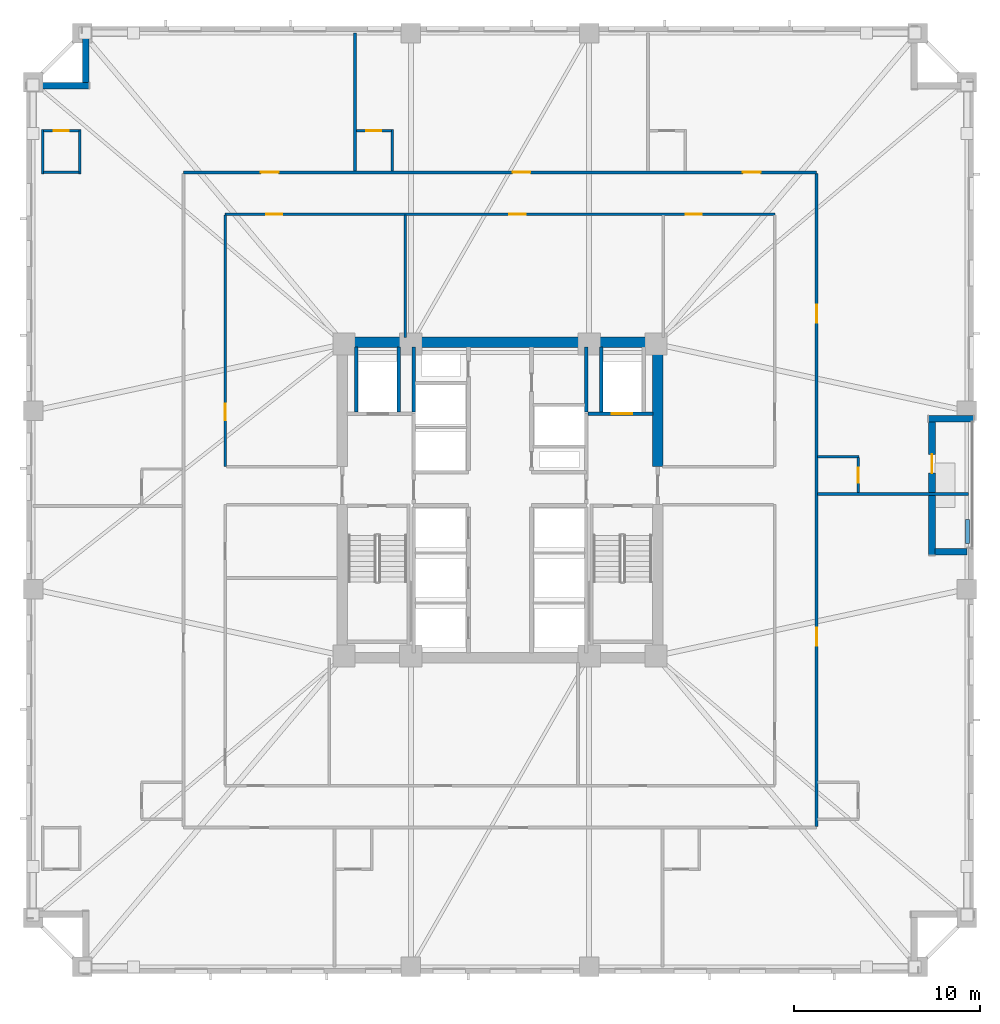
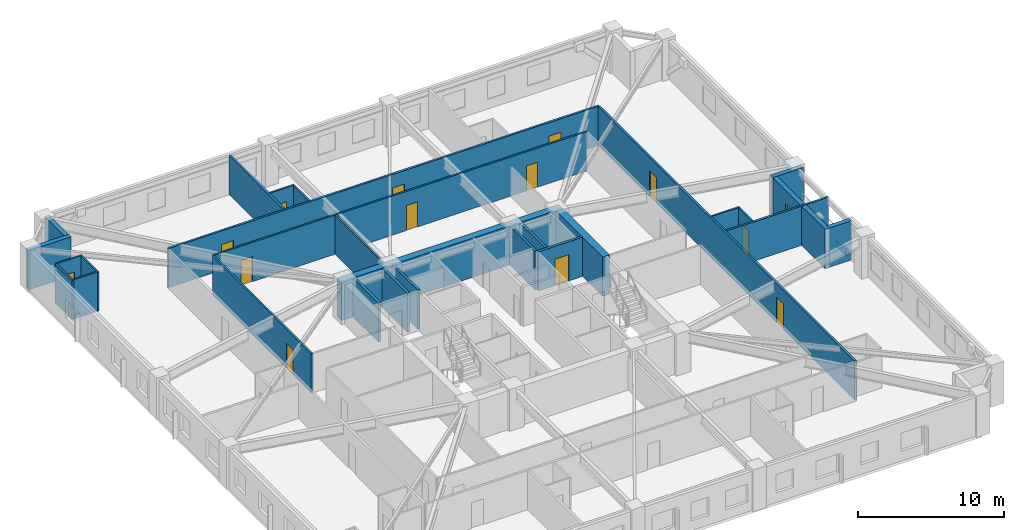
# One storey, part 5 of 11: 29 walls, 14 doors, 14 openings.
"""IFC4 building model written with IfcOpenShell, lengths in metres."""

from ifc_helpers import new_model, si_unit, direction, frame, frame_2d, origin, place, context, subcontext, project, spatial, rectangle, extrude, material, layer, layer_set, type_object, element, fill, save


model = new_model("IFC4")

# Units and contexts
model_context = context("Model", 3, precision=1e-05, world=origin(), true_north=direction((0.0, 1.0)))
body_context = subcontext(model_context, "Body", "Model", "MODEL_VIEW")
ifc_project = project(units=[si_unit("LENGTHUNIT", "METRE"), si_unit("AREAUNIT", "SQUARE_METRE"), si_unit("VOLUMEUNIT", "CUBIC_METRE"), si_unit("PLANEANGLEUNIT", "RADIAN"), si_unit("MASSUNIT", "GRAM", prefix="KILO")], contexts=[model_context])

# Site, building, storey
site_placement = place(None, origin())
site = spatial("IfcSite", under=ifc_project, at=site_placement, CompositionType="ELEMENT")
building_placement = place(site_placement, origin())
building = spatial("IfcBuilding", under=site, at=building_placement, Name="Cairnveth Concourse Tower", CompositionType="ELEMENT")
storey_placement = place(building_placement, frame((0.0, 0.0, 72.5)))
storey = spatial("IfcBuildingStorey", under=building, at=storey_placement, Name="L19", CompositionType="ELEMENT", Elevation=72.5)

# Wall, openings, doors
ifc_material_1 = material(Name="Gypsum Plasterboard Partition", Category="gypsum")
ifc_layer_1 = layer(ifc_material_1, 0.159912109375)
ifc_layer_set_1 = layer_set([ifc_layer_1], Name="Gypsum Plasterboard Partition")
wall_type_1 = type_object("IfcWallType", Name="ACOUSTIC PARTY WALL 180", PredefinedType="PARTITIONING", material=ifc_layer_set_1)
wall_1_placement = place(storey_placement, frame((34.949951171875, 56.64990234375, 0.0), z_axis=(0.0, 0.0, 1.0), x_axis=(1.0, 0.0, 0.0)))
wall_1 = element("IfcWall", 1, at=wall_1_placement, inside=storey, type_object=wall_type_1, Name="Interior Wall IW-L19-038", PredefinedType="PARTITIONING", context=body_context, shape_type="SweptSolid", body=[
    extrude(rectangle(XDim=34.10009765625, YDim=0.159912109375, at=frame_2d((17.050048828125, 0.0))), origin(), (0.0, 0.0, 1.0), 3.280029296875),
])
opening_1_placement = place(wall_1_placement, frame((4.166259765625, 0.0, 0.0)))
opening_1 = element("IfcOpeningElement", 2, at=opening_1_placement, cuts=wall_1, Name="Opening ID09", PredefinedType="OPENING", context=body_context, shape_type="SweptSolid", body=[
    extrude(rectangle(XDim=0.9599609375, YDim=2.14990234375, at=frame_2d((0.47998046875, 1.074951171875))), frame((0.0, 0.08984375, 0.0), z_axis=(0.0, -1.0, 0.0), x_axis=(1.0, 0.0, 0.0)), (0.0, 0.0, 1.0), 0.179931640625),
])
opening_2_placement = place(wall_1_placement, frame((17.72998046875, 0.0, 0.0)))
opening_2 = element("IfcOpeningElement", 3, at=opening_2_placement, cuts=wall_1, Name="Opening ID09", PredefinedType="OPENING", context=body_context, shape_type="SweptSolid", body=[
    extrude(rectangle(XDim=0.9599609375, YDim=2.14990234375, at=frame_2d((0.47998046875, 1.074951171875))), frame((0.0, 0.08984375, 0.0), z_axis=(0.0, -1.0, 0.0), x_axis=(1.0, 0.0, 0.0)), (0.0, 0.0, 1.0), 0.179931640625),
])
opening_3_placement = place(wall_1_placement, frame((30.1337890625, 0.0, 0.0)))
opening_3 = element("IfcOpeningElement", 4, at=opening_3_placement, cuts=wall_1, Name="Opening ID09", PredefinedType="OPENING", context=body_context, shape_type="SweptSolid", body=[
    extrude(rectangle(XDim=0.9599609375, YDim=2.14990234375, at=frame_2d((0.47998046875, 1.074951171875))), frame((0.0, 0.08984375, 0.0), z_axis=(0.0, -1.0, 0.0), x_axis=(1.0, 0.0, 0.0)), (0.0, 0.0, 1.0), 0.179931640625),
])
ifc_material_2 = material(Name="Solid Core Hardwood Timber Leaf", Category="wood")
door_type_1 = type_object("IfcDoorType", Name="HOTEL ENTRANCE DOOR 960X2150", OperationType="NOTDEFINED", PredefinedType="DOOR", material=ifc_material_2)
door_1_placement = place(opening_1_placement, origin())
door_1 = element("IfcDoor", 5, at=door_1_placement, inside=storey, type_object=door_type_1, Name="Hotel Room Door L19-N1", OperationType="SINGLE_SWING_LEFT", OverallHeight=2.14990234375, OverallWidth=0.9599609375, PredefinedType="DOOR", context=body_context, shape_type="SweptSolid", body=[
    extrude(rectangle(XDim=0.9599609375, YDim=2.14990234375, at=frame_2d((0.47998046875, 1.074951171875))), frame((0.0, 0.02490234375, 0.0), z_axis=(0.0, -1.0, 0.0), x_axis=(1.0, 0.0, 0.0)), (0.0, 0.0, 1.0), 0.050048828125),
])
fill(opening_1, door_1)
door_2_placement = place(opening_2_placement, origin())
door_2 = element("IfcDoor", 6, at=door_2_placement, inside=storey, type_object=door_type_1, Name="Hotel Room Door L19-N2", OperationType="SINGLE_SWING_LEFT", OverallHeight=2.14990234375, OverallWidth=0.9599609375, PredefinedType="DOOR", context=body_context, shape_type="SweptSolid", body=[
    extrude(rectangle(XDim=0.9599609375, YDim=2.14990234375, at=frame_2d((0.47998046875, 1.074951171875))), frame((0.0, 0.02490234375, 0.0), z_axis=(0.0, -1.0, 0.0), x_axis=(1.0, 0.0, 0.0)), (0.0, 0.0, 1.0), 0.050048828125),
])
fill(opening_2, door_2)
door_3_placement = place(opening_3_placement, origin())
door_3 = element("IfcDoor", 7, at=door_3_placement, inside=storey, type_object=door_type_1, Name="Hotel Room Door L19-N3", OperationType="SINGLE_SWING_LEFT", OverallHeight=2.14990234375, OverallWidth=0.9599609375, PredefinedType="DOOR", context=body_context, shape_type="SweptSolid", body=[
    extrude(rectangle(XDim=0.9599609375, YDim=2.14990234375, at=frame_2d((0.47998046875, 1.074951171875))), frame((0.0, 0.02490234375, 0.0), z_axis=(0.0, -1.0, 0.0), x_axis=(1.0, 0.0, 0.0)), (0.0, 0.0, 1.0), 0.050048828125),
])
fill(opening_3, door_3)

wall_2_placement = place(storey_placement, frame((69.050048828125, 21.4150390625, 0.0), z_axis=(0.0, 0.0, 1.0), x_axis=(0.0, 1.0, 0.0)))
wall_2 = element("IfcWall", 8, at=wall_2_placement, inside=storey, type_object=wall_type_1, Name="Interior Wall IW-L19-040", PredefinedType="PARTITIONING", context=body_context, shape_type="SweptSolid", body=[
    extrude(rectangle(XDim=35.169921875, YDim=0.159912109375, at=frame_2d((17.5849609375, 0.0))), origin(), (0.0, 0.0, 1.0), 3.280029296875),
])
opening_4_placement = place(wall_2_placement, frame((9.74560546875, 0.0, 0.0)))
opening_4 = element("IfcOpeningElement", 9, at=opening_4_placement, cuts=wall_2, Name="Opening ID09", PredefinedType="OPENING", context=body_context, shape_type="SweptSolid", body=[
    extrude(rectangle(XDim=0.9599609375, YDim=2.14990234375, at=frame_2d((0.47998046875, 1.074951171875))), frame((0.0, 0.08984375, 0.0), z_axis=(0.0, -1.0, 0.0), x_axis=(1.0, 0.0, 0.0)), (0.0, 0.0, 1.0), 0.179931640625),
])
opening_5_placement = place(wall_2_placement, frame((27.145751953125, 0.0, 0.0)))
opening_5 = element("IfcOpeningElement", 10, at=opening_5_placement, cuts=wall_2, Name="Opening ID09", PredefinedType="OPENING", context=body_context, shape_type="SweptSolid", body=[
    extrude(rectangle(XDim=0.9599609375, YDim=2.14990234375, at=frame_2d((0.47998046875, 1.074951171875))), frame((0.0, 0.08984375, 0.0), z_axis=(0.0, -1.0, 0.0), x_axis=(1.0, 0.0, 0.0)), (0.0, 0.0, 1.0), 0.179931640625),
])
door_4_placement = place(opening_4_placement, origin())
door_4 = element("IfcDoor", 11, at=door_4_placement, inside=storey, type_object=door_type_1, Name="Hotel Room Door L19-E1", OperationType="SINGLE_SWING_LEFT", OverallHeight=2.14990234375, OverallWidth=0.9599609375, PredefinedType="DOOR", context=body_context, shape_type="SweptSolid", body=[
    extrude(rectangle(XDim=0.9599609375, YDim=2.14990234375, at=frame_2d((0.47998046875, 1.074951171875))), frame((0.0, 0.02490234375, 0.0), z_axis=(0.0, -1.0, 0.0), x_axis=(1.0, 0.0, 0.0)), (0.0, 0.0, 1.0), 0.050048828125),
])
fill(opening_4, door_4)
door_5_placement = place(opening_5_placement, origin())
door_5 = element("IfcDoor", 12, at=door_5_placement, inside=storey, type_object=door_type_1, Name="Hotel Room Door L19-E2", OperationType="SINGLE_SWING_LEFT", OverallHeight=2.14990234375, OverallWidth=0.9599609375, PredefinedType="DOOR", context=body_context, shape_type="SweptSolid", body=[
    extrude(rectangle(XDim=0.9599609375, YDim=2.14990234375, at=frame_2d((0.47998046875, 1.074951171875))), frame((0.0, 0.02490234375, 0.0), z_axis=(0.0, -1.0, 0.0), x_axis=(1.0, 0.0, 0.0)), (0.0, 0.0, 1.0), 0.050048828125),
])
fill(opening_5, door_5)

# Walls
wall_3_placement = place(storey_placement, frame((44.1923828125, 56.715087890625, 0.0), z_axis=(0.0, 0.0, 1.0), x_axis=(0.0, 1.0, 0.0)))
element("IfcWall", 13, at=wall_3_placement, inside=storey, type_object=wall_type_1, Name="Interior Wall IW-L19-070", PredefinedType="PARTITIONING", context=body_context, shape_type="SweptSolid", body=[
    extrude(rectangle(XDim=7.43994140625, YDim=0.159912109375, at=frame_2d((3.719970703125, 0.0))), origin(), (0.0, 0.0, 1.0), 3.280029296875),
])
wall_4_placement = place(storey_placement, frame((69.114990234375, 39.33154296875, 0.0), z_axis=(0.0, 0.0, 1.0), x_axis=(1.0, 0.0, 0.0)))
element("IfcWall", 14, at=wall_4_placement, inside=storey, type_object=wall_type_1, Name="Interior Wall IW-L19-085", PredefinedType="PARTITIONING", context=body_context, shape_type="SweptSolid", body=[
    extrude(rectangle(XDim=8.114990234375, YDim=0.159912109375, at=frame_2d((4.0576171875, 0.0))), origin(), (0.0, 0.0, 1.0), 3.280029296875),
])
ifc_material_3 = material(Name="Concrete N80 (80 MPa)", Category="concrete")
ifc_layer_2 = layer(ifc_material_3, 0.550048828125)
ifc_layer_set_2 = layer_set([ifc_layer_2], Name="Concrete N80 (80 MPa)")
wall_type_2 = type_object("IfcWallType", Name="CORE SHEAR WALL 550", PredefinedType="SHEAR", material=ifc_layer_set_2)
wall_5_placement = place(storey_placement, frame((43.22509765625, 47.5, 0.0), z_axis=(0.0, 0.0, 1.0), x_axis=(1.0, 0.0, 0.0)))
element("IfcWall", 15, at=wall_5_placement, inside=storey, type_object=wall_type_2, Name="Core North Shear Wall L19", PredefinedType="SHEAR", context=body_context, shape_type="SweptSolid", body=[
    extrude(rectangle(XDim=17.5498046875, YDim=0.550048828125, at=frame_2d((8.77490234375, 0.0))), origin(), (0.0, 0.0, 1.0), 3.280029296875),
])
wall_6_placement = place(storey_placement, frame((60.5, 40.800048828125, 0.0), z_axis=(0.0, 0.0, 1.0), x_axis=(0.0, 1.0, 0.0)))
element("IfcWall", 16, at=wall_6_placement, inside=storey, type_object=wall_type_2, Name="Core East Shear Wall N L19", PredefinedType="SHEAR", context=body_context, shape_type="SweptSolid", body=[
    extrude(rectangle(XDim=6.43505859375, YDim=0.550048828125, at=frame_2d((3.217529296875, 0.0))), origin(), (0.0, 0.0, 1.0), 3.280029296875),
])
ifc_material_4 = material(Name="Concrete N50 (50 MPa)", Category="concrete")
ifc_layer_3 = layer(ifc_material_4, 0.179931640625)
ifc_layer_set_3 = layer_set([ifc_layer_3], Name="Concrete N50 (50 MPa)")
wall_type_3 = type_object("IfcWallType", Name="FIRE SHAFT WALL 180", PredefinedType="SOLIDWALL", material=ifc_layer_set_3)
for number, where, z_axis, x_axis, name in (
    (17, (47.35009765625, 43.735107421875, 0.0), (0.0, 0.0, 1.0), (0.0, 1.0, 0.0), "Interior Wall IW-L19-031"),
    (18, (56.64990234375, 43.735107421875, 0.0), (0.0, 0.0, 1.0), (0.0, 1.0, 0.0), "Interior Wall IW-L19-034"),
):
    element("IfcWall", number, at=place(storey_placement, frame(where, z_axis=z_axis, x_axis=x_axis)), inside=storey, type_object=wall_type_3, Name=name, PredefinedType="SOLIDWALL", context=body_context, shape_type="SweptSolid", body=[
        extrude(rectangle(XDim=3.5048828125, YDim=0.179931640625, at=frame_2d((1.75244140625, 0.0))), origin(), (0.0, 0.0, 1.0), 3.280029296875),
    ])
ifc_layer_4 = layer(ifc_material_4, 0.199951171875)
ifc_layer_set_4 = layer_set([ifc_layer_4], Name="Concrete N50 (50 MPa)")
wall_type_4 = type_object("IfcWallType", Name="FIRE SHAFT WALL 200", PredefinedType="SOLIDWALL", material=ifc_layer_set_4)
for number, where, z_axis, x_axis, name in (
    (19, (46.550048828125, 43.735107421875, 0.0), (0.0, 0.0, 1.0), (0.0, 1.0, 0.0), "Interior Wall IW-L19-018"),
    (20, (44.25, 43.735107421875, 0.0), (0.0, 0.0, 1.0), (0.0, 1.0, 0.0), "Interior Wall IW-L19-019"),
):
    element("IfcWall", number, at=place(storey_placement, frame(where, z_axis=z_axis, x_axis=x_axis)), inside=storey, type_object=wall_type_4, Name=name, PredefinedType="SOLIDWALL", context=body_context, shape_type="SweptSolid", body=[
        extrude(rectangle(XDim=3.5048828125, YDim=0.199951171875, at=frame_2d((1.75244140625, 0.0))), origin(), (0.0, 0.0, 1.0), 3.280029296875),
    ])

# Wall, opening, door
wall_7_placement = place(storey_placement, frame((56.735107421875, 43.64990234375, 0.0), z_axis=(0.0, 0.0, 1.0), x_axis=(1.0, 0.0, 0.0)))
wall_7 = element("IfcWall", 21, at=wall_7_placement, inside=storey, type_object=wall_type_4, Name="Interior Wall IW-L19-022", PredefinedType="SOLIDWALL", context=body_context, shape_type="SweptSolid", body=[
    extrude(rectangle(XDim=3.5048828125, YDim=0.199951171875, at=frame_2d((1.75244140625, 0.0))), origin(), (0.0, 0.0, 1.0), 3.280029296875),
])
opening_6_placement = place(wall_7_placement, frame((1.294921875, 0.0, 0.0)))
opening_6 = element("IfcOpeningElement", 22, at=opening_6_placement, cuts=wall_7, Name="Opening LD-1", PredefinedType="OPENING", context=body_context, shape_type="SweptSolid", body=[
    extrude(rectangle(XDim=1.10009765625, YDim=2.199951171875, at=frame_2d((0.550048828125, 1.10009765625))), frame((0.0, 0.10986328125, 0.0), z_axis=(0.0, -1.0, 0.0), x_axis=(1.0, 0.0, 0.0)), (0.0, 0.0, 1.0), 0.219970703125),
])
ifc_material_5 = material(Name="Architectural Bronze Anodised Aluminium 6063-T6", Category="aluminium")
door_type_2 = type_object("IfcDoorType", Name="LIFT LANDING DOOR 1100X2200", OperationType="SLIDING_TO_LEFT", PredefinedType="DOOR", material=ifc_material_5)
door_6_placement = place(opening_6_placement, origin())
door_6 = element("IfcDoor", 23, at=door_6_placement, inside=storey, type_object=door_type_2, Name="Lift FFL2 Landing Door L19", OperationType="SLIDING_TO_LEFT", OverallHeight=2.199951171875, OverallWidth=1.10009765625, PredefinedType="DOOR", context=body_context, shape_type="SweptSolid", body=[
    extrude(rectangle(XDim=1.10009765625, YDim=2.199951171875, at=frame_2d((0.550048828125, 1.10009765625))), frame((0.0, 0.02490234375, 0.0), z_axis=(0.0, -1.0, 0.0), x_axis=(1.0, 0.0, 0.0)), (0.0, 0.0, 1.0), 0.050048828125),
])
fill(opening_6, door_6)

# Wall
wall_8_placement = place(storey_placement, frame((57.449951171875, 43.735107421875, 0.0), z_axis=(0.0, 0.0, 1.0), x_axis=(0.0, 1.0, 0.0)))
element("IfcWall", 24, at=wall_8_placement, inside=storey, type_object=wall_type_4, Name="Interior Wall IW-L19-023", PredefinedType="SOLIDWALL", context=body_context, shape_type="SweptSolid", body=[
    extrude(rectangle(XDim=3.5048828125, YDim=0.199951171875, at=frame_2d((1.75244140625, 0.0))), origin(), (0.0, 0.0, 1.0), 3.280029296875),
])

# Wall, openings, doors
ifc_layer_5 = layer(ifc_material_1, 0.139892578125)
ifc_layer_set_5 = layer_set([ifc_layer_5], Name="Gypsum Plasterboard Partition")
wall_type_5 = type_object("IfcWallType", Name="GYPSUM STUD PARTITION 140", PredefinedType="PARTITIONING", material=ifc_layer_set_5)
wall_9_placement = place(storey_placement, frame((37.199951171875, 54.39990234375, 0.0), z_axis=(0.0, 0.0, 1.0), x_axis=(1.0, 0.0, 0.0)))
wall_9 = element("IfcWall", 25, at=wall_9_placement, inside=storey, type_object=wall_type_5, Name="Interior Wall IW-L19-042", PredefinedType="PARTITIONING", context=body_context, shape_type="SweptSolid", body=[
    extrude(rectangle(XDim=29.60009765625, YDim=0.139892578125, at=frame_2d((14.800048828125, 0.0))), origin(), (0.0, 0.0, 1.0), 3.280029296875),
])
opening_7_placement = place(wall_9_placement, frame((2.199951171875, 0.0, 0.0)))
opening_7 = element("IfcOpeningElement", 26, at=opening_7_placement, cuts=wall_9, Name="Opening ID18", PredefinedType="OPENING", context=body_context, shape_type="SweptSolid", body=[
    extrude(rectangle(XDim=0.8798828125, YDim=2.10009765625, at=frame_2d((0.43994140625, 1.050048828125))), frame((0.0, 0.079833984375, 0.0), z_axis=(0.0, -1.0, 0.0), x_axis=(1.0, 0.0, 0.0)), (0.0, 0.0, 1.0), 0.159912109375),
])
opening_8_placement = place(wall_9_placement, frame((15.300048828125, 0.0, 0.0)))
opening_8 = element("IfcOpeningElement", 27, at=opening_8_placement, cuts=wall_9, Name="Opening ID18", PredefinedType="OPENING", context=body_context, shape_type="SweptSolid", body=[
    extrude(rectangle(XDim=0.8798828125, YDim=2.10009765625, at=frame_2d((0.43994140625, 1.050048828125))), frame((0.0, 0.079833984375, 0.0), z_axis=(0.0, -1.0, 0.0), x_axis=(1.0, 0.0, 0.0)), (0.0, 0.0, 1.0), 0.159912109375),
])
opening_9_placement = place(wall_9_placement, frame((24.800048828125, 0.0, 0.0)))
opening_9 = element("IfcOpeningElement", 28, at=opening_9_placement, cuts=wall_9, Name="Opening ID18", PredefinedType="OPENING", context=body_context, shape_type="SweptSolid", body=[
    extrude(rectangle(XDim=0.8798828125, YDim=2.10009765625, at=frame_2d((0.43994140625, 1.050048828125))), frame((0.0, 0.079833984375, 0.0), z_axis=(0.0, -1.0, 0.0), x_axis=(1.0, 0.0, 0.0)), (0.0, 0.0, 1.0), 0.159912109375),
])
door_type_3 = type_object("IfcDoorType", Name="INTERIOR SINGLE DOOR 880X2100", OperationType="NOTDEFINED", PredefinedType="DOOR", material=ifc_material_2)
door_7_placement = place(opening_7_placement, origin())
door_7 = element("IfcDoor", 29, at=door_7_placement, inside=storey, type_object=door_type_3, Name="Interior Door DR-L19-016", OperationType="SINGLE_SWING_RIGHT", OverallHeight=2.10009765625, OverallWidth=0.8798828125, PredefinedType="DOOR", context=body_context, shape_type="SweptSolid", body=[
    extrude(rectangle(XDim=0.8798828125, YDim=2.10009765625, at=frame_2d((0.43994140625, 1.050048828125))), frame((0.0, 0.02490234375, 0.0), z_axis=(0.0, -1.0, 0.0), x_axis=(1.0, 0.0, 0.0)), (0.0, 0.0, 1.0), 0.050048828125),
])
fill(opening_7, door_7)
door_8_placement = place(opening_8_placement, origin())
door_8 = element("IfcDoor", 30, at=door_8_placement, inside=storey, type_object=door_type_3, Name="Interior Door DR-L19-017", OperationType="SINGLE_SWING_LEFT", OverallHeight=2.10009765625, OverallWidth=0.8798828125, PredefinedType="DOOR", context=body_context, shape_type="SweptSolid", body=[
    extrude(rectangle(XDim=0.8798828125, YDim=2.10009765625, at=frame_2d((0.43994140625, 1.050048828125))), frame((0.0, 0.02490234375, 0.0), z_axis=(0.0, -1.0, 0.0), x_axis=(1.0, 0.0, 0.0)), (0.0, 0.0, 1.0), 0.050048828125),
])
fill(opening_8, door_8)
door_9_placement = place(opening_9_placement, origin())
door_9 = element("IfcDoor", 31, at=door_9_placement, inside=storey, type_object=door_type_3, Name="Interior Door DR-L19-018", OperationType="SINGLE_SWING_RIGHT", OverallHeight=2.10009765625, OverallWidth=0.8798828125, PredefinedType="DOOR", context=body_context, shape_type="SweptSolid", body=[
    extrude(rectangle(XDim=0.8798828125, YDim=2.10009765625, at=frame_2d((0.43994140625, 1.050048828125))), frame((0.0, 0.02490234375, 0.0), z_axis=(0.0, -1.0, 0.0), x_axis=(1.0, 0.0, 0.0)), (0.0, 0.0, 1.0), 0.050048828125),
])
fill(opening_9, door_9)

# Wall, opening, door
wall_10_placement = place(storey_placement, frame((37.199951171875, 40.800048828125, 0.0), z_axis=(0.0, 0.0, 1.0), x_axis=(0.0, 1.0, 0.0)))
wall_10 = element("IfcWall", 32, at=wall_10_placement, inside=storey, type_object=wall_type_5, Name="Interior Wall IW-L19-044", PredefinedType="PARTITIONING", context=body_context, shape_type="SweptSolid", body=[
    extrude(rectangle(XDim=13.544921875, YDim=0.139892578125, at=frame_2d((6.7724609375, 0.0))), origin(), (0.0, 0.0, 1.0), 3.280029296875),
])
opening_10_placement = place(wall_10_placement, frame((2.5, 0.0, 0.0)))
opening_10 = element("IfcOpeningElement", 33, at=opening_10_placement, cuts=wall_10, Name="Opening ID18", PredefinedType="OPENING", context=body_context, shape_type="SweptSolid", body=[
    extrude(rectangle(XDim=0.8798828125, YDim=2.10009765625, at=frame_2d((0.43994140625, 1.050048828125))), frame((0.0, 0.079833984375, 0.0), z_axis=(0.0, -1.0, 0.0), x_axis=(1.0, 0.0, 0.0)), (0.0, 0.0, 1.0), 0.159912109375),
])
door_10_placement = place(opening_10_placement, origin())
door_10 = element("IfcDoor", 34, at=door_10_placement, inside=storey, type_object=door_type_3, Name="Interior Door DR-L19-021", OperationType="SINGLE_SWING_LEFT", OverallHeight=2.10009765625, OverallWidth=0.8798828125, PredefinedType="DOOR", context=body_context, shape_type="SweptSolid", body=[
    extrude(rectangle(XDim=0.8798828125, YDim=2.10009765625, at=frame_2d((0.43994140625, 1.050048828125))), frame((0.0, 0.02490234375, 0.0), z_axis=(0.0, -1.0, 0.0), x_axis=(1.0, 0.0, 0.0)), (0.0, 0.0, 1.0), 0.050048828125),
])
fill(opening_10, door_10)

# Walls
wall_11_placement = place(storey_placement, frame((46.89990234375, 47.760009765625, 0.0), z_axis=(0.0, 0.0, 1.0), x_axis=(0.0, 1.0, 0.0)))
element("IfcWall", 35, at=wall_11_placement, inside=storey, type_object=wall_type_5, Name="Interior Wall IW-L19-053", PredefinedType="PARTITIONING", context=body_context, shape_type="SweptSolid", body=[
    extrude(rectangle(XDim=6.5849609375, YDim=0.139892578125, at=frame_2d((3.29248046875, 0.0))), origin(), (0.0, 0.0, 1.0), 3.280029296875),
])
ifc_material_6 = material(Name="Dressed Melbourne Bluestone Cladding", Category="masonry")
ifc_layer_6 = layer(ifc_material_6, 0.219970703125)
ifc_layer_set_6 = layer_set([ifc_layer_6], Name="Dressed Melbourne Bluestone Cladding")
wall_type_6 = type_object("IfcWallType", Name="TERRACE PLANTER CURB WALL 220", PredefinedType="PARAPET", material=ifc_layer_set_6)
wall_12_placement = place(storey_placement, frame((77.179931640625, 36.64990234375, 0.0), z_axis=(0.0, 0.0, 1.0), x_axis=(0.0, 1.0, 0.0)))
element("IfcWall", 36, at=wall_12_placement, inside=storey, type_object=wall_type_6, Name="Exterior Wall PLNT-L19-TERR", PredefinedType="PARAPET", context=body_context, shape_type="SweptSolid", body=[
    extrude(rectangle(XDim=1.300048828125, YDim=0.219970703125, at=frame_2d((0.64990234375, 0.0))), origin(), (0.0, 0.0, 1.0), 0.550048828125),
])
ifc_layer_7 = layer(ifc_material_1, 0.1298828125)
ifc_layer_set_7 = layer_set([ifc_layer_7], Name="Gypsum Plasterboard Partition")
wall_type_7 = type_object("IfcWallType", Name="WET AREA PARTITION 140", PredefinedType="PLUMBINGWALL", material=ifc_layer_set_7)
for number, where, z_axis, x_axis, name in (
    (37, (27.3701171875, 56.570068359375, 0.0), (0.0, 0.0, 1.0), (0.0, 1.0, 0.0), "Interior Wall IW-L19-066"),
    (38, (29.3701171875, 56.570068359375, 0.0), (0.0, 0.0, 1.0), (0.0, 1.0, 0.0), "Interior Wall IW-L19-067"),
):
    element("IfcWall", number, at=place(storey_placement, frame(where, z_axis=z_axis, x_axis=x_axis)), inside=storey, type_object=wall_type_7, Name=name, PredefinedType="PLUMBINGWALL", context=body_context, shape_type="SweptSolid", body=[
        extrude(rectangle(XDim=2.3798828125, YDim=0.1298828125, at=frame_2d((1.18994140625, 0.0))), origin(), (0.0, 0.0, 1.0), 3.280029296875),
    ])

# Wall, opening, door
wall_13_placement = place(storey_placement, frame((27.419921875, 58.89990234375, 0.0), z_axis=(0.0, 0.0, 1.0), x_axis=(1.0, 0.0, 0.0)))
wall_13 = element("IfcWall", 39, at=wall_13_placement, inside=storey, type_object=wall_type_7, Name="Interior Wall IW-L19-068", PredefinedType="PLUMBINGWALL", context=body_context, shape_type="SweptSolid", body=[
    extrude(rectangle(XDim=1.900146484375, YDim=0.1298828125, at=frame_2d((0.9501953125, 0.0))), origin(), (0.0, 0.0, 1.0), 3.280029296875),
])
opening_11_placement = place(wall_13_placement, frame((0.5400390625, 0.0, 0.0)))
opening_11 = element("IfcOpeningElement", 40, at=opening_11_placement, cuts=wall_13, Name="Opening ID22", PredefinedType="OPENING", context=body_context, shape_type="SweptSolid", body=[
    extrude(rectangle(XDim=0.820068359375, YDim=2.10009765625, at=frame_2d((0.41015625, 1.050048828125))), frame((0.0, 0.074951171875, 0.0), z_axis=(0.0, -1.0, 0.0), x_axis=(1.0, 0.0, 0.0)), (0.0, 0.0, 1.0), 0.14990234375),
])
door_type_4 = type_object("IfcDoorType", Name="INTERIOR WC DOOR 820X2100", OperationType="NOTDEFINED", PredefinedType="DOOR", material=ifc_material_2)
door_11_placement = place(opening_11_placement, origin())
door_11 = element("IfcDoor", 41, at=door_11_placement, inside=storey, type_object=door_type_4, Name="En-Suite Door L19-N1", OperationType="SINGLE_SWING_RIGHT", OverallHeight=2.10009765625, OverallWidth=0.820068359375, PredefinedType="DOOR", context=body_context, shape_type="SweptSolid", body=[
    extrude(rectangle(XDim=0.820068359375, YDim=2.10009765625, at=frame_2d((0.41015625, 1.050048828125))), frame((0.0, 0.02490234375, 0.0), z_axis=(0.0, -1.0, 0.0), x_axis=(1.0, 0.0, 0.0)), (0.0, 0.0, 1.0), 0.050048828125),
])
fill(opening_11, door_11)

# Walls
wall_14_placement = place(storey_placement, frame((27.419921875, 56.64990234375, 0.0), z_axis=(0.0, 0.0, 1.0), x_axis=(1.0, 0.0, 0.0)))
element("IfcWall", 42, at=wall_14_placement, inside=storey, type_object=wall_type_7, Name="Interior Wall IW-L19-069", PredefinedType="PLUMBINGWALL", context=body_context, shape_type="SweptSolid", body=[
    extrude(rectangle(XDim=1.900146484375, YDim=0.1298828125, at=frame_2d((0.9501953125, 0.0))), origin(), (0.0, 0.0, 1.0), 3.280029296875),
])
wall_15_placement = place(storey_placement, frame((46.1923828125, 56.715087890625, 0.0), z_axis=(0.0, 0.0, 1.0), x_axis=(0.0, 1.0, 0.0)))
element("IfcWall", 43, at=wall_15_placement, inside=storey, type_object=wall_type_7, Name="Interior Wall IW-L19-071", PredefinedType="PLUMBINGWALL", context=body_context, shape_type="SweptSolid", body=[
    extrude(rectangle(XDim=2.23486328125, YDim=0.1298828125, at=frame_2d((1.117431640625, 0.0))), origin(), (0.0, 0.0, 1.0), 3.280029296875),
])

# Wall, opening, door
wall_16_placement = place(storey_placement, frame((44.257568359375, 58.89990234375, 0.0), z_axis=(0.0, 0.0, 1.0), x_axis=(1.0, 0.0, 0.0)))
wall_16 = element("IfcWall", 44, at=wall_16_placement, inside=storey, type_object=wall_type_7, Name="Interior Wall IW-L19-072", PredefinedType="PLUMBINGWALL", context=body_context, shape_type="SweptSolid", body=[
    extrude(rectangle(XDim=1.885009765625, YDim=0.1298828125, at=frame_2d((0.9423828125, 0.0))), origin(), (0.0, 0.0, 1.0), 3.280029296875),
])
opening_12_placement = place(wall_16_placement, frame((0.52490234375, 0.0, 0.0)))
opening_12 = element("IfcOpeningElement", 45, at=opening_12_placement, cuts=wall_16, Name="Opening ID22", PredefinedType="OPENING", context=body_context, shape_type="SweptSolid", body=[
    extrude(rectangle(XDim=0.820068359375, YDim=2.10009765625, at=frame_2d((0.41015625, 1.050048828125))), frame((0.0, 0.074951171875, 0.0), z_axis=(0.0, -1.0, 0.0), x_axis=(1.0, 0.0, 0.0)), (0.0, 0.0, 1.0), 0.14990234375),
])
door_12_placement = place(opening_12_placement, origin())
door_12 = element("IfcDoor", 46, at=door_12_placement, inside=storey, type_object=door_type_4, Name="En-Suite Door L19-N2", OperationType="SINGLE_SWING_RIGHT", OverallHeight=2.10009765625, OverallWidth=0.820068359375, PredefinedType="DOOR", context=body_context, shape_type="SweptSolid", body=[
    extrude(rectangle(XDim=0.820068359375, YDim=2.10009765625, at=frame_2d((0.41015625, 1.050048828125))), frame((0.0, 0.02490234375, 0.0), z_axis=(0.0, -1.0, 0.0), x_axis=(1.0, 0.0, 0.0)), (0.0, 0.0, 1.0), 0.050048828125),
])
fill(opening_12, door_12)

# Wall
wall_17_placement = place(storey_placement, frame((69.114990234375, 41.33154296875, 0.0), z_axis=(0.0, 0.0, 1.0), x_axis=(1.0, 0.0, 0.0)))
element("IfcWall", 47, at=wall_17_placement, inside=storey, type_object=wall_type_7, Name="Interior Wall IW-L19-086", PredefinedType="PLUMBINGWALL", context=body_context, shape_type="SweptSolid", body=[
    extrude(rectangle(XDim=2.235107421875, YDim=0.1298828125, at=frame_2d((1.11767578125, 0.0))), origin(), (0.0, 0.0, 1.0), 3.280029296875),
])

# Wall, opening, door
wall_18_placement = place(storey_placement, frame((71.300048828125, 39.396484375, 0.0), z_axis=(0.0, 0.0, 1.0), x_axis=(0.0, 1.0, 0.0)))
wall_18 = element("IfcWall", 48, at=wall_18_placement, inside=storey, type_object=wall_type_7, Name="Interior Wall IW-L19-087", PredefinedType="PLUMBINGWALL", context=body_context, shape_type="SweptSolid", body=[
    extrude(rectangle(XDim=1.885009765625, YDim=0.1298828125, at=frame_2d((0.9423828125, 0.0))), origin(), (0.0, 0.0, 1.0), 3.280029296875),
])
opening_13_placement = place(wall_18_placement, frame((0.52490234375, 0.0, 0.0)))
opening_13 = element("IfcOpeningElement", 49, at=opening_13_placement, cuts=wall_18, Name="Opening ID22", PredefinedType="OPENING", context=body_context, shape_type="SweptSolid", body=[
    extrude(rectangle(XDim=0.820068359375, YDim=2.10009765625, at=frame_2d((0.41015625, 1.050048828125))), frame((0.0, 0.074951171875, 0.0), z_axis=(0.0, -1.0, 0.0), x_axis=(1.0, 0.0, 0.0)), (0.0, 0.0, 1.0), 0.14990234375),
])
door_13_placement = place(opening_13_placement, origin())
door_13 = element("IfcDoor", 50, at=door_13_placement, inside=storey, type_object=door_type_4, Name="En-Suite Door L19-E2", OperationType="SINGLE_SWING_RIGHT", OverallHeight=2.10009765625, OverallWidth=0.820068359375, PredefinedType="DOOR", context=body_context, shape_type="SweptSolid", body=[
    extrude(rectangle(XDim=0.820068359375, YDim=2.10009765625, at=frame_2d((0.41015625, 1.050048828125))), frame((0.0, 0.02490234375, 0.0), z_axis=(0.0, -1.0, 0.0), x_axis=(1.0, 0.0, 0.0)), (0.0, 0.0, 1.0), 0.050048828125),
])
fill(opening_13, door_13)

# Walls
ifc_material_7 = material(Name="Hawthorn Red-Ochre Fired Clay Brick Masonry", Category="masonry")
ifc_layer_8 = layer(ifc_material_7, 0.360107421875)
ifc_layer_set_8 = layer_set([ifc_layer_8], Name="Hawthorn Red-Ochre Fired Clay Brick Masonry")
wall_type_8 = type_object("IfcWallType", Name="ZONE 1 BRICK PIER SPANDREL WALL 360", PredefinedType="SOLIDWALL", material=ifc_layer_set_8)
wall_19_placement = place(storey_placement, frame((26.5, 61.320068359375, 0.0), z_axis=(0.0, 0.0, 1.0), x_axis=(1.0, 0.0, 0.0)))
element("IfcWall", 51, at=wall_19_placement, inside=storey, type_object=wall_type_8, Name="Exterior Wall EW-L19-S07", PredefinedType="SOLIDWALL", context=body_context, shape_type="SweptSolid", body=[
    extrude(rectangle(XDim=3.360107421875, YDim=0.360107421875, at=frame_2d((1.68017578125, 0.0))), origin(), (0.0, 0.0, 1.0), 3.280029296875),
])
wall_20_placement = place(storey_placement, frame((29.679931640625, 61.47802734375, 0.0), z_axis=(0.0, 0.0, 1.0), x_axis=(0.0, 1.0, 0.0)))
element("IfcWall", 52, at=wall_20_placement, inside=storey, type_object=wall_type_8, Name="Exterior Wall EW-L19-S08", PredefinedType="SOLIDWALL", context=body_context, shape_type="SweptSolid", body=[
    extrude(rectangle(XDim=2.68408203125, YDim=0.360107421875, at=frame_2d((1.342041015625, 0.0))), origin(), (0.0, 0.0, 1.0), 3.280029296875),
])
wall_21_placement = place(storey_placement, frame((77.5, 43.3798828125, 0.0), z_axis=(0.0, 0.0, 1.0), x_axis=(-1.0, 0.0, 0.0)))
element("IfcWall", 53, at=wall_21_placement, inside=storey, type_object=wall_type_8, Name="Exterior Wall EW-L19-S13", PredefinedType="SOLIDWALL", context=body_context, shape_type="SweptSolid", body=[
    extrude(rectangle(XDim=2.409912109375, YDim=0.360107421875, at=frame_2d((1.205078125, 0.0))), origin(), (0.0, 0.0, 1.0), 3.280029296875),
])

# Wall, opening, door
wall_22_placement = place(storey_placement, frame((75.27001953125, 43.221923828125, 0.0), z_axis=(0.0, 0.0, 1.0), x_axis=(0.0, -1.0, 0.0)))
wall_22 = element("IfcWall", 54, at=wall_22_placement, inside=storey, type_object=wall_type_8, Name="Exterior Wall EW-L19-S14", PredefinedType="SOLIDWALL", context=body_context, shape_type="SweptSolid", body=[
    extrude(rectangle(XDim=7.181884765625, YDim=0.360107421875, at=frame_2d((3.5908203125, 0.0))), origin(), (0.0, 0.0, 1.0), 3.280029296875),
])
opening_14_placement = place(wall_22_placement, frame((1.770263671875, 0.0, 0.0)))
opening_14 = element("IfcOpeningElement", 55, at=opening_14_placement, cuts=wall_22, Name="Opening ED4", PredefinedType="OPENING", context=body_context, shape_type="SweptSolid", body=[
    extrude(rectangle(XDim=1.0, YDim=2.14990234375, at=frame_2d((0.5, 1.074951171875))), frame((0.0, 0.18994140625, 0.0), z_axis=(0.0, -1.0, 0.0), x_axis=(1.0, 0.0, 0.0)), (0.0, 0.0, 1.0), 0.380126953125),
])
door_type_5 = type_object("IfcDoorType", Name="TERRACE GLAZED DOOR 1000X2150", OperationType="NOTDEFINED", PredefinedType="DOOR", material=ifc_material_5)
door_14_placement = place(opening_14_placement, origin())
door_14 = element("IfcDoor", 56, at=door_14_placement, inside=storey, type_object=door_type_5, Name="Spiral Terrace Door L19", OperationType="SINGLE_SWING_RIGHT", OverallHeight=2.14990234375, OverallWidth=1.0, PredefinedType="DOOR", context=body_context, shape_type="SweptSolid", body=[
    extrude(rectangle(XDim=1.0, YDim=2.14990234375, at=frame_2d((0.5, 1.074951171875))), frame((0.0, 0.02490234375, 0.0), z_axis=(0.0, -1.0, 0.0), x_axis=(1.0, 0.0, 0.0)), (0.0, 0.0, 1.0), 0.050048828125),
])
fill(opening_14, door_14)

# Wall
wall_23_placement = place(storey_placement, frame((75.427978515625, 36.219970703125, 0.0), z_axis=(0.0, 0.0, 1.0), x_axis=(1.0, 0.0, 0.0)))
element("IfcWall", 57, at=wall_23_placement, inside=storey, type_object=wall_type_8, Name="Exterior Wall EW-L19-S15", PredefinedType="SOLIDWALL", context=body_context, shape_type="SweptSolid", body=[
    extrude(rectangle(XDim=1.734130859375, YDim=0.360107421875, at=frame_2d((0.8671875, 0.0))), origin(), (0.0, 0.0, 1.0), 3.280029296875),
])

save(model, "model.ifc")
